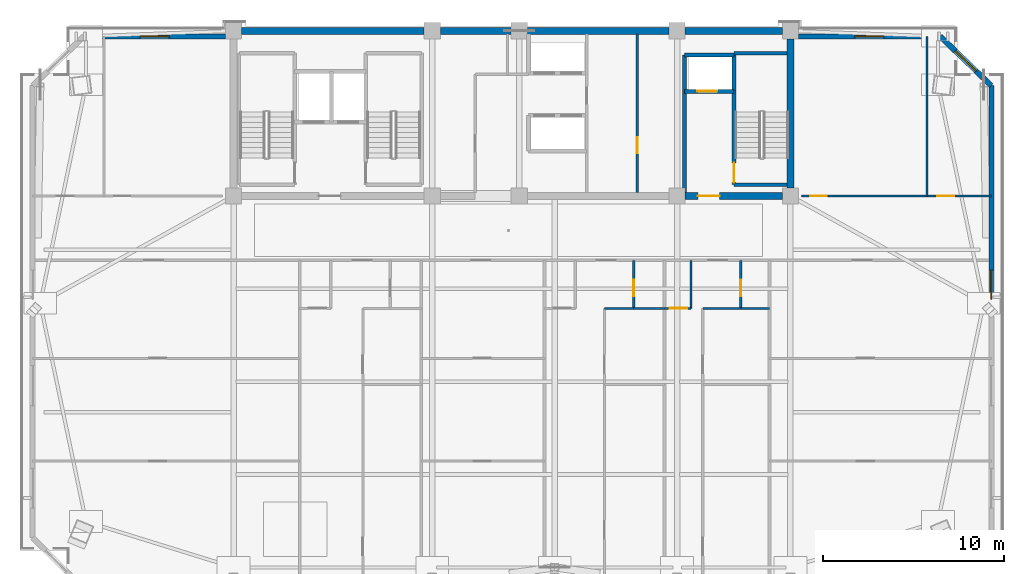
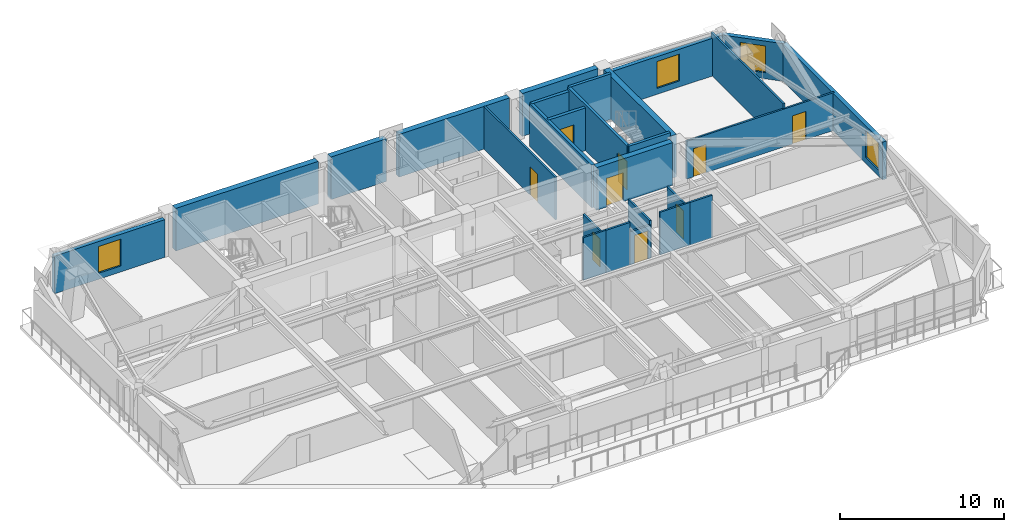
# One storey, part 11 of 18: 27 walls, 9 doors, 4 windows, 13 openings.
"""IFC4 building model written with IfcOpenShell, lengths in metres."""

from ifc_helpers import new_model, si_unit, direction, frame, frame_2d, origin, place, context, subcontext, project, spatial, rectangle, extrude, source, transform, mapped, material, layer, layer_set, type_object, element, fill, save


model = new_model("IFC4")

# Units and contexts
model_context = context("Model", 3, precision=1e-05, world=origin(), true_north=direction((0.0, 1.0)))
body_context = subcontext(model_context, "Body", "Model", "MODEL_VIEW")
ifc_project = project(units=[si_unit("LENGTHUNIT", "METRE"), si_unit("AREAUNIT", "SQUARE_METRE"), si_unit("VOLUMEUNIT", "CUBIC_METRE"), si_unit("PLANEANGLEUNIT", "RADIAN"), si_unit("MASSUNIT", "GRAM", prefix="KILO")], contexts=[model_context])

# Site, building, storey
site_placement = place(None, origin())
site = spatial("IfcSite", under=ifc_project, at=site_placement, CompositionType="ELEMENT")
building_placement = place(site_placement, origin())
building = spatial("IfcBuilding", under=site, at=building_placement, Name="Giltprow Tower", CompositionType="ELEMENT")
storey_placement = place(building_placement, frame((0.0, 0.0, 265.5)))
storey = spatial("IfcBuildingStorey", under=building, at=storey_placement, Name="L68", CompositionType="ELEMENT", Elevation=265.5)

# Wall, opening, window
ifc_material_1 = material(Name="Precast concrete C40", Category="concrete")
ifc_layer_1 = layer(ifc_material_1, 0.300048828125, Name="Precast concrete C40")
ifc_layer_set_1 = layer_set([ifc_layer_1], Name="Precast concrete C40")
wall_type_1 = type_object("IfcWallType", Name="EW-NOTCH-CHAMFER-300", PredefinedType="SOLIDWALL", material=ifc_layer_set_1)
wall_1_placement = place(storey_placement, frame((61.6220703125, 43.530029296875, 0.0), z_axis=(0.0, 0.0, 1.0), x_axis=(-0.719645186047, 0.694341995129, 0.0)))
wall_1 = element("IfcWall", 1, at=wall_1_placement, inside=storey, type_object=wall_type_1, Name="L68 Corner Notch Wall NE", PredefinedType="SOLIDWALL", context=body_context, shape_type="SweptSolid", body=[
    extrude(rectangle(XDim=3.917236328125, YDim=0.300048828125, at=frame_2d((1.95849609375, 0.0))), origin(), (0.0, 0.0, 1.0), 2.81494140625),
])
opening_1_placement = place(wall_1_placement, frame((1.158935546875, 0.0, 0.449951171875)))
opening_1 = element("IfcOpeningElement", 2, at=opening_1_placement, cuts=wall_1, Name="Opening WN17", PredefinedType="OPENING", context=body_context, shape_type="SweptSolid", body=[
    extrude(rectangle(XDim=1.60009765625, YDim=2.0, at=frame_2d((0.800048828125, 1.0))), frame((0.0, 0.159912109375, 0.0), z_axis=(0.0, -1.0, 0.0), x_axis=(1.0, 0.0, 0.0)), (0.0, 0.0, 1.0), 0.320068359375),
])
ifc_material_2 = material(Name="Insulated glass", Category="glass")
window_type = type_object("IfcWindowType", Name="WN-COR-1600x2000", PartitioningType="SINGLE_PANEL", PredefinedType="WINDOW", material=ifc_material_2)
shared_shape_1 = source(origin(), body_context, "Body", "SweptSolid", [
    extrude(rectangle(XDim=1.60009765625, YDim=2.0, at=frame_2d((0.800048828125, 1.0))), frame((0.0, 0.030029296875, 0.0), z_axis=(0.0, -1.0, 0.0), x_axis=(1.0, 0.0, 0.0)), (0.0, 0.0, 1.0), 0.06005859375),
])
window_1_placement = place(opening_1_placement, origin())
window_1 = element("IfcWindow", 3, at=window_1_placement, inside=storey, type_object=window_type, Name="L68 Corner Notch Window NE", OverallHeight=2.0, OverallWidth=1.60009765625, PartitioningType="SINGLE_PANEL", PredefinedType="WINDOW", context=body_context, shape_type="MappedRepresentation", body=[
    mapped(shared_shape_1, transform((0.0, 0.0, 0.0), x_axis=(1.0, 0.0, 0.0), y_axis=(0.0, 1.0, 0.0), z_axis=(0.0, 0.0, 1.0), scale=1.0)),
])
fill(opening_1, window_1)

ifc_layer_2 = layer(ifc_material_1, 0.280029296875, Name="Precast concrete C40")
ifc_layer_set_2 = layer_set([ifc_layer_2], Name="Precast concrete C40")
wall_type_2 = type_object("IfcWallType", Name="EW-TOW-BRONZE-280", PredefinedType="SOLIDWALL", material=ifc_layer_set_2)
wall_2_placement = place(storey_placement, frame((61.6220703125, 31.322021484375, 0.0), z_axis=(0.0, 0.0, 1.0), x_axis=(0.0, 1.0, 0.0)))
wall_2 = element("IfcWall", 4, at=wall_2_placement, inside=storey, type_object=wall_type_2, Name="L68 E Wing Masonry Wall 2", PredefinedType="SOLIDWALL", context=body_context, shape_type="SweptSolid", body=[
    extrude(rectangle(XDim=12.2080078125, YDim=0.280029296875, at=frame_2d((6.10400390625, 0.0))), origin(), (0.0, 0.0, 1.0), 2.81494140625),
])
opening_2_placement = place(wall_2_placement, frame((0.446044921875, 0.0, 0.449951171875)))
opening_2 = element("IfcOpeningElement", 5, at=opening_2_placement, cuts=wall_2, Name="Opening WN17", PredefinedType="OPENING", context=body_context, shape_type="SweptSolid", body=[
    extrude(rectangle(XDim=1.60009765625, YDim=2.0, at=frame_2d((0.800048828125, 1.0))), frame((0.0, 0.14990234375, 0.0), z_axis=(0.0, -1.0, 0.0), x_axis=(1.0, 0.0, 0.0)), (0.0, 0.0, 1.0), 0.300048828125),
])
window_2_placement = place(opening_2_placement, origin())
window_2 = element("IfcWindow", 6, at=window_2_placement, inside=storey, type_object=window_type, Name="L68 E Wing Window 2-1", OverallHeight=2.0, OverallWidth=1.60009765625, PartitioningType="SINGLE_PANEL", PredefinedType="WINDOW", context=body_context, shape_type="MappedRepresentation", body=[
    mapped(shared_shape_1, transform((0.0, 0.0, 0.0), x_axis=(1.0, 0.0, 0.0), y_axis=(0.0, 1.0, 0.0), z_axis=(0.0, 0.0, 1.0), scale=1.0)),
])
fill(opening_2, window_2)

wall_3_placement = place(storey_placement, frame((11.597900390625, 46.25, 0.0), z_axis=(0.0, 0.0, 1.0), x_axis=(1.0, 0.0, 0.0)))
wall_3 = element("IfcWall", 7, at=wall_3_placement, inside=storey, type_object=wall_type_2, Name="L68 North-West Wing Wall", PredefinedType="SOLIDWALL", context=body_context, shape_type="SweptSolid", body=[
    extrude(rectangle(XDim=7.802001953125, YDim=0.280029296875, at=frame_2d((3.90087890625, 0.0))), origin(), (0.0, 0.0, 1.0), 2.81494140625),
])
opening_3_placement = place(wall_3_placement, frame((3.10107421875, 0.0, 0.449951171875)))
opening_3 = element("IfcOpeningElement", 8, at=opening_3_placement, cuts=wall_3, Name="Opening WN17", PredefinedType="OPENING", context=body_context, shape_type="SweptSolid", body=[
    extrude(rectangle(XDim=1.60009765625, YDim=2.0, at=frame_2d((0.800048828125, 1.0))), frame((0.0, 0.14990234375, 0.0), z_axis=(0.0, -1.0, 0.0), x_axis=(1.0, 0.0, 0.0)), (0.0, 0.0, 1.0), 0.300048828125),
])
window_3_placement = place(opening_3_placement, origin())
window_3 = element("IfcWindow", 9, at=window_3_placement, inside=storey, type_object=window_type, Name="L68 North-West Window", OverallHeight=2.0, OverallWidth=1.60009765625, PartitioningType="SINGLE_PANEL", PredefinedType="WINDOW", context=body_context, shape_type="MappedRepresentation", body=[
    mapped(shared_shape_1, transform((0.0, 0.0, 0.0), x_axis=(1.0, 0.0, 0.0), y_axis=(0.0, 1.0, 0.0), z_axis=(0.0, 0.0, 1.0), scale=1.0)),
])
fill(opening_3, window_3)

wall_4_placement = place(storey_placement, frame((51.0, 46.25, 0.0), z_axis=(0.0, 0.0, 1.0), x_axis=(1.0, 0.0, 0.0)))
wall_4 = element("IfcWall", 10, at=wall_4_placement, inside=storey, type_object=wall_type_2, Name="L68 North-East Wing Wall", PredefinedType="SOLIDWALL", context=body_context, shape_type="SweptSolid", body=[
    extrude(rectangle(XDim=7.802978515625, YDim=0.280029296875, at=frame_2d((3.9013671875, 0.0))), origin(), (0.0, 0.0, 1.0), 2.81494140625),
])
opening_4_placement = place(wall_4_placement, frame((3.10107421875, 0.0, 0.449951171875)))
opening_4 = element("IfcOpeningElement", 11, at=opening_4_placement, cuts=wall_4, Name="Opening WN17", PredefinedType="OPENING", context=body_context, shape_type="SweptSolid", body=[
    extrude(rectangle(XDim=1.60009765625, YDim=2.0, at=frame_2d((0.800048828125, 1.0))), frame((0.0, 0.14990234375, 0.0), z_axis=(0.0, -1.0, 0.0), x_axis=(1.0, 0.0, 0.0)), (0.0, 0.0, 1.0), 0.300048828125),
])
window_4_placement = place(opening_4_placement, origin())
window_4 = element("IfcWindow", 12, at=window_4_placement, inside=storey, type_object=window_type, Name="L68 North-East Window", OverallHeight=2.0, OverallWidth=1.60009765625, PartitioningType="SINGLE_PANEL", PredefinedType="WINDOW", context=body_context, shape_type="MappedRepresentation", body=[
    mapped(shared_shape_1, transform((0.0, 0.0, 0.0), x_axis=(1.0, 0.0, 0.0), y_axis=(0.0, 1.0, 0.0), z_axis=(0.0, 0.0, 1.0), scale=1.0)),
])
fill(opening_4, window_4)

# Walls
ifc_material_3 = material(Name="Gypsum stud partition", Category="gypsum")
ifc_layer_3 = layer(ifc_material_3, 0.1201171875, Name="Gypsum stud partition")
ifc_layer_set_3 = layer_set([ifc_layer_3], Name="Gypsum stud partition")
wall_type_3 = type_object("IfcWallType", Name="IW-ROOM-120", PredefinedType="PARTITIONING", material=ifc_layer_set_3)
wall_5_placement = place(storey_placement, frame((40.300048828125, 31.25, 0.0), z_axis=(0.0, 0.0, 1.0), x_axis=(1.0, 0.0, 0.0)))
element("IfcWall", 13, at=wall_5_placement, inside=storey, type_object=wall_type_3, Name="L68 Unit 2 Bedroom North Wall", PredefinedType="PARTITIONING", context=body_context, shape_type="SweptSolid", body=[
    extrude(rectangle(XDim=1.60986328125, YDim=0.1201171875, at=frame_2d((0.804931640625, 0.0))), origin(), (0.0, 0.0, 1.0), 3.18505859375),
])
wall_6_placement = place(storey_placement, frame((45.719970703125, 31.25, 0.0), z_axis=(0.0, 0.0, 1.0), x_axis=(1.0, 0.0, 0.0)))
element("IfcWall", 14, at=wall_6_placement, inside=storey, type_object=wall_type_3, Name="L68 Unit 3 Bedroom North Wall", PredefinedType="PARTITIONING", context=body_context, shape_type="SweptSolid", body=[
    extrude(rectangle(XDim=2.10009765625, YDim=0.1201171875, at=frame_2d((1.050048828125, 0.0))), origin(), (0.0, 0.0, 1.0), 3.18505859375),
])

# Wall, opening, door
ifc_material_4 = material(Name="Concrete C40", Category="concrete")
ifc_layer_4 = layer(ifc_material_4, 0.219970703125, Name="Concrete C40")
ifc_layer_set_4 = layer_set([ifc_layer_4], Name="Concrete C40")
wall_type_4 = type_object("IfcWallType", Name="IW-SHAFT-220", PredefinedType="SOLIDWALL", material=ifc_layer_set_4)
wall_7_placement = place(storey_placement, frame((44.719970703125, 43.219970703125, 0.0), z_axis=(0.0, 0.0, 1.0), x_axis=(1.0, 0.0, 0.0)))
wall_7 = element("IfcWall", 15, at=wall_7_placement, inside=storey, type_object=wall_type_4, Name="L68 FFL2 Front Shaft Wall", PredefinedType="SOLIDWALL", context=body_context, shape_type="SweptSolid", body=[
    extrude(rectangle(XDim=2.719970703125, YDim=0.219970703125, at=frame_2d((1.35986328125, 0.0))), origin(), (0.0, 0.0, 1.0), 3.18505859375),
])
opening_5_placement = place(wall_7_placement, frame((0.699951171875, 0.0, 0.0)))
opening_5 = element("IfcOpeningElement", 16, at=opening_5_placement, cuts=wall_7, Name="Opening LD-11", PredefinedType="OPENING", context=body_context, shape_type="SweptSolid", body=[
    extrude(rectangle(XDim=1.10009765625, YDim=2.199951171875, at=frame_2d((0.550048828125, 1.10009765625))), frame((0.0, 0.119873046875, 0.0), z_axis=(0.0, -1.0, 0.0), x_axis=(1.0, 0.0, 0.0)), (0.0, 0.0, 1.0), 0.239990234375),
])
ifc_material_5 = material(Name="Stainless steel", Category="steel")
door_type_1 = type_object("IfcDoorType", Name="DR-LIFT-LD1100", OperationType="SLIDING_TO_LEFT", PredefinedType="DOOR", material=ifc_material_5)
shared_shape_2 = source(origin(), body_context, "Body", "SweptSolid", [
    extrude(rectangle(XDim=1.10009765625, YDim=2.199951171875, at=frame_2d((0.550048828125, 1.10009765625))), frame((0.0, 0.02490234375, 0.0), z_axis=(0.0, -1.0, 0.0), x_axis=(1.0, 0.0, 0.0)), (0.0, 0.0, 1.0), 0.050048828125),
])
door_1_placement = place(opening_5_placement, origin())
door_1 = element("IfcDoor", 17, at=door_1_placement, inside=storey, type_object=door_type_1, Name="L68 FFL2 Landing Door", OperationType="SLIDING_TO_LEFT", OverallHeight=2.199951171875, OverallWidth=1.10009765625, PredefinedType="DOOR", context=body_context, shape_type="MappedRepresentation", body=[
    mapped(shared_shape_2, transform((0.0, 0.0, 0.0), x_axis=(1.0, 0.0, 0.0), y_axis=(0.0, 1.0, 0.0), z_axis=(0.0, 0.0, 1.0), scale=1.0)),
])
fill(opening_5, door_1)

# Walls
wall_8_placement = place(storey_placement, frame((44.719970703125, 45.219970703125, 0.0), z_axis=(0.0, 0.0, 1.0), x_axis=(1.0, 0.0, 0.0)))
element("IfcWall", 18, at=wall_8_placement, inside=storey, type_object=wall_type_4, Name="L68 FFL2 Back Shaft Wall", PredefinedType="SOLIDWALL", context=body_context, shape_type="SweptSolid", body=[
    extrude(rectangle(XDim=2.719970703125, YDim=0.219970703125, at=frame_2d((1.35986328125, 0.0))), origin(), (0.0, 0.0, 1.0), 3.18505859375),
])
wall_9_placement = place(storey_placement, frame((44.719970703125, 37.6298828125, 0.0), z_axis=(0.0, 0.0, 1.0), x_axis=(0.0, 1.0, 0.0)))
element("IfcWall", 19, at=wall_9_placement, inside=storey, type_object=wall_type_4, Name="L68 East Firefighting Lobby West Wall", PredefinedType="SOLIDWALL", context=body_context, shape_type="SweptSolid", body=[
    extrude(rectangle(XDim=7.590087890625, YDim=0.219970703125, at=frame_2d((3.794921875, 0.0))), origin(), (0.0, 0.0, 1.0), 3.18505859375),
])

# Wall, opening, door
ifc_layer_5 = layer(ifc_material_4, 0.199951171875, Name="Concrete C40")
ifc_layer_set_5 = layer_set([ifc_layer_5], Name="Concrete C40")
wall_type_5 = type_object("IfcWallType", Name="IW-STAIR-200", PredefinedType="SOLIDWALL", material=ifc_layer_set_5)
wall_10_placement = place(storey_placement, frame((47.43994140625, 38.070068359375, 0.0), z_axis=(0.0, 0.0, 1.0), x_axis=(0.0, 1.0, 0.0)))
wall_10 = element("IfcWall", 20, at=wall_10_placement, inside=storey, type_object=wall_type_5, Name="L68 Stair ST-3 West Bearing Wall", PredefinedType="SOLIDWALL", context=body_context, shape_type="SweptSolid", body=[
    extrude(rectangle(XDim=7.25, YDim=0.199951171875, at=frame_2d((3.625, 0.0))), origin(), (0.0, 0.0, 1.0), 3.39990234375),
])
opening_6_placement = place(wall_10_placement, frame((0.110107421875, 0.0, 0.0)))
opening_6 = element("IfcOpeningElement", 21, at=opening_6_placement, cuts=wall_10, Name="Opening ID33", PredefinedType="OPENING", context=body_context, shape_type="SweptSolid", body=[
    extrude(rectangle(XDim=1.10009765625, YDim=2.14990234375, at=frame_2d((0.550048828125, 1.074951171875))), frame((0.0, 0.10986328125, 0.0), z_axis=(0.0, -1.0, 0.0), x_axis=(1.0, 0.0, 0.0)), (0.0, 0.0, 1.0), 0.219970703125),
])
ifc_material_6 = material(Name="Steel fire leaf", Category="steel")
door_type_2 = type_object("IfcDoorType", Name="DR-STAIR-1100", OperationType="SINGLE_SWING_LEFT", PredefinedType="DOOR", material=ifc_material_6)
shared_shape_3 = source(origin(), body_context, "Body", "SweptSolid", [
    extrude(rectangle(XDim=1.10009765625, YDim=2.14990234375, at=frame_2d((0.550048828125, 1.074951171875))), frame((0.0, 0.02490234375, 0.0), z_axis=(0.0, -1.0, 0.0), x_axis=(1.0, 0.0, 0.0)), (0.0, 0.0, 1.0), 0.050048828125),
])
door_2_placement = place(opening_6_placement, origin())
door_2 = element("IfcDoor", 22, at=door_2_placement, inside=storey, type_object=door_type_2, Name="L68 Stair ST-3 Fire Door", OperationType="SINGLE_SWING_RIGHT", OverallHeight=2.14990234375, OverallWidth=1.10009765625, PredefinedType="DOOR", context=body_context, shape_type="MappedRepresentation", body=[
    mapped(shared_shape_3, transform((0.0, 0.0, 0.0), x_axis=(1.0, 0.0, 0.0), y_axis=(0.0, 1.0, 0.0), z_axis=(0.0, 0.0, 1.0), scale=1.0)),
])
fill(opening_6, door_2)

# Walls
for number, where, z_axis, x_axis, name in (
    (23, (47.43994140625, 45.320068359375, 0.0), (0.0, 0.0, 1.0), (1.0, 0.0, 0.0), "L68 Stair ST-3 North Bearing Wall"),
    (24, (47.43994140625, 38.070068359375, 0.0), (0.0, 0.0, 1.0), (1.0, 0.0, 0.0), "L68 Stair ST-3 South Bearing Wall"),
):
    element("IfcWall", number, at=place(storey_placement, frame(where, z_axis=z_axis, x_axis=x_axis)), inside=storey, type_object=wall_type_5, Name=name, PredefinedType="SOLIDWALL", context=body_context, shape_type="SweptSolid", body=[
        extrude(rectangle(XDim=2.93017578125, YDim=0.199951171875, at=frame_2d((1.465087890625, 0.0))), origin(), (0.0, 0.0, 1.0), 3.39990234375),
    ])

# Wall, opening, door
ifc_material_7 = material(Name="Concrete C30", Category="concrete")
ifc_layer_6 = layer(ifc_material_7, 0.1298828125, Name="Concrete C30")
ifc_layer_set_6 = layer_set([ifc_layer_6], Name="Concrete C30")
wall_type_6 = type_object("IfcWallType", Name="IW-WET-130", PredefinedType="PARTITIONING", material=ifc_layer_set_6)
wall_11_placement = place(storey_placement, frame((42.10009765625, 37.6298828125, 0.0), z_axis=(0.0, 0.0, 1.0), x_axis=(0.0, 1.0, 0.0)))
wall_11 = element("IfcWall", 25, at=wall_11_placement, inside=storey, type_object=wall_type_6, Name="L68 East Core Vertical Divider", PredefinedType="PARTITIONING", context=body_context, shape_type="SweptSolid", body=[
    extrude(rectangle(XDim=8.740234375, YDim=0.1298828125, at=frame_2d((4.3701171875, 0.0))), origin(), (0.0, 0.0, 1.0), 3.18505859375),
])
opening_7_placement = place(wall_11_placement, frame((2.169921875, 0.0, 0.0)))
opening_7 = element("IfcOpeningElement", 26, at=opening_7_placement, cuts=wall_11, Name="Opening ID35", PredefinedType="OPENING", context=body_context, shape_type="SweptSolid", body=[
    extrude(rectangle(XDim=0.89990234375, YDim=2.10009765625, at=frame_2d((0.449951171875, 1.050048828125))), frame((0.0, 0.074951171875, 0.0), z_axis=(0.0, -1.0, 0.0), x_axis=(1.0, 0.0, 0.0)), (0.0, 0.0, 1.0), 0.14990234375),
])
door_type_3 = type_object("IfcDoorType", Name="DR-SHAFT-900", OperationType="SINGLE_SWING_LEFT", PredefinedType="DOOR", material=ifc_material_6)
shared_shape_4 = source(origin(), body_context, "Body", "SweptSolid", [
    extrude(rectangle(XDim=0.89990234375, YDim=2.10009765625, at=frame_2d((0.449951171875, 1.050048828125))), frame((0.0, 0.02490234375, 0.0), z_axis=(0.0, -1.0, 0.0), x_axis=(1.0, 0.0, 0.0)), (0.0, 0.0, 1.0), 0.050048828125),
])
door_3_placement = place(opening_7_placement, origin())
door_3 = element("IfcDoor", 27, at=door_3_placement, inside=storey, type_object=door_type_3, Name="L68 Core Trunk Room Inner Door", OperationType="SINGLE_SWING_LEFT", OverallHeight=2.10009765625, OverallWidth=0.89990234375, PredefinedType="DOOR", context=body_context, shape_type="MappedRepresentation", body=[
    mapped(shared_shape_4, transform((0.0, 0.0, 0.0), x_axis=(1.0, 0.0, 0.0), y_axis=(0.0, 1.0, 0.0), z_axis=(0.0, 0.0, 1.0), scale=1.0)),
])
fill(opening_7, door_3)

# Wall
wall_12_placement = place(storey_placement, frame((41.909912109375, 31.25, 0.0), z_axis=(0.0, 0.0, 1.0), x_axis=(1.0, 0.0, 0.0)))
element("IfcWall", 28, at=wall_12_placement, inside=storey, type_object=wall_type_6, Name="L68 Unit 2 Bathroom South Wall", PredefinedType="PARTITIONING", context=body_context, shape_type="SweptSolid", body=[
    extrude(rectangle(XDim=1.690185546875, YDim=0.1298828125, at=frame_2d((0.84521484375, 0.0))), origin(), (0.0, 0.0, 1.0), 3.18505859375),
])

# Wall, opening, door
wall_13_placement = place(storey_placement, frame((41.909912109375, 31.25, 0.0), z_axis=(0.0, 0.0, 1.0), x_axis=(0.0, 1.0, 0.0)))
wall_13 = element("IfcWall", 29, at=wall_13_placement, inside=storey, type_object=wall_type_6, Name="L68 Unit 2 Bathroom West Wall", PredefinedType="PARTITIONING", context=body_context, shape_type="SweptSolid", body=[
    extrude(rectangle(XDim=2.64990234375, YDim=0.1298828125, at=frame_2d((1.324951171875, 0.0))), origin(), (0.0, 0.0, 1.0), 2.77001953125),
])
opening_8_placement = place(wall_13_placement, frame((0.669921875, 0.0, 0.0)))
opening_8 = element("IfcOpeningElement", 30, at=opening_8_placement, cuts=wall_13, Name="Opening ID15", PredefinedType="OPENING", context=body_context, shape_type="SweptSolid", body=[
    extrude(rectangle(XDim=0.89990234375, YDim=2.10009765625, at=frame_2d((0.449951171875, 1.050048828125))), frame((0.0, 0.074951171875, 0.0), z_axis=(0.0, -1.0, 0.0), x_axis=(1.0, 0.0, 0.0)), (0.0, 0.0, 1.0), 0.14990234375),
])
ifc_material_8 = material(Name="Engineered timber", Category="wood")
door_type_4 = type_object("IfcDoorType", Name="DR-WC-900", OperationType="SINGLE_SWING_LEFT", PredefinedType="DOOR", material=ifc_material_8)
door_4_placement = place(opening_8_placement, origin())
door_4 = element("IfcDoor", 31, at=door_4_placement, inside=storey, type_object=door_type_4, Name="L68 Unit 2 Bathroom Door", OperationType="SINGLE_SWING_LEFT", OverallHeight=2.10009765625, OverallWidth=0.89990234375, PredefinedType="DOOR", context=body_context, shape_type="MappedRepresentation", body=[
    mapped(shared_shape_4, transform((0.0, 0.0, 0.0), x_axis=(1.0, 0.0, 0.0), y_axis=(0.0, 1.0, 0.0), z_axis=(0.0, 0.0, 1.0), scale=1.0)),
])
fill(opening_8, door_4)

wall_14_placement = place(storey_placement, frame((43.60009765625, 31.25, 0.0), z_axis=(0.0, 0.0, 1.0), x_axis=(1.0, 0.0, 0.0)))
wall_14 = element("IfcWall", 32, at=wall_14_placement, inside=storey, type_object=wall_type_6, Name="L68 Unit 3 Kitchen South Wall", PredefinedType="PARTITIONING", context=body_context, shape_type="SweptSolid", body=[
    extrude(rectangle(XDim=1.469970703125, YDim=0.1298828125, at=frame_2d((0.73486328125, 0.0))), origin(), (0.0, 0.0, 1.0), 2.469970703125),
])
opening_9_placement = place(wall_14_placement, frame((0.300048828125, 0.0, 0.0)))
opening_9 = element("IfcOpeningElement", 33, at=opening_9_placement, cuts=wall_14, Name="Opening ID11", PredefinedType="OPENING", context=body_context, shape_type="SweptSolid", body=[
    extrude(rectangle(XDim=0.949951171875, YDim=2.10009765625, at=frame_2d((0.47509765625, 1.050048828125))), frame((0.0, 0.074951171875, 0.0), z_axis=(0.0, -1.0, 0.0), x_axis=(1.0, 0.0, 0.0)), (0.0, 0.0, 1.0), 0.14990234375),
])
door_type_5 = type_object("IfcDoorType", Name="DR-ROOM-950", OperationType="SINGLE_SWING_RIGHT", PredefinedType="DOOR", material=ifc_material_8)
shared_shape_5 = source(origin(), body_context, "Body", "SweptSolid", [
    extrude(rectangle(XDim=0.949951171875, YDim=2.10009765625, at=frame_2d((0.47509765625, 1.050048828125))), frame((0.0, 0.02490234375, 0.0), z_axis=(0.0, -1.0, 0.0), x_axis=(1.0, 0.0, 0.0)), (0.0, 0.0, 1.0), 0.050048828125),
])
door_5_placement = place(opening_9_placement, origin())
door_5 = element("IfcDoor", 34, at=door_5_placement, inside=storey, type_object=door_type_5, Name="L68 Unit 3 Kitchen Door", OperationType="SINGLE_SWING_LEFT", OverallHeight=2.10009765625, OverallWidth=0.949951171875, PredefinedType="DOOR", context=body_context, shape_type="MappedRepresentation", body=[
    mapped(shared_shape_5, transform((0.0, 0.0, 0.0), x_axis=(1.0, 0.0, 0.0), y_axis=(0.0, 1.0, 0.0), z_axis=(0.0, 0.0, 1.0), scale=1.0)),
])
fill(opening_9, door_5)

# Walls
wall_15_placement = place(storey_placement, frame((45.070068359375, 31.25, 0.0), z_axis=(0.0, 0.0, 1.0), x_axis=(0.0, 1.0, 0.0)))
element("IfcWall", 35, at=wall_15_placement, inside=storey, type_object=wall_type_6, Name="L68 Unit 3 Kitchen East Wall", PredefinedType="PARTITIONING", context=body_context, shape_type="SweptSolid", body=[
    extrude(rectangle(XDim=2.64990234375, YDim=0.1298828125, at=frame_2d((1.324951171875, 0.0))), origin(), (0.0, 0.0, 1.0), 2.77001953125),
])
wall_16_placement = place(storey_placement, frame((47.820068359375, 31.25, 0.0), z_axis=(0.0, 0.0, 1.0), x_axis=(1.0, 0.0, 0.0)))
element("IfcWall", 36, at=wall_16_placement, inside=storey, type_object=wall_type_6, Name="L68 Unit 3 Bathroom South Wall", PredefinedType="PARTITIONING", context=body_context, shape_type="SweptSolid", body=[
    extrude(rectangle(XDim=1.579833984375, YDim=0.1298828125, at=frame_2d((0.7900390625, 0.0))), origin(), (0.0, 0.0, 1.0), 3.18505859375),
])

# Wall, opening, door
wall_17_placement = place(storey_placement, frame((47.820068359375, 31.25, 0.0), z_axis=(0.0, 0.0, 1.0), x_axis=(0.0, 1.0, 0.0)))
wall_17 = element("IfcWall", 37, at=wall_17_placement, inside=storey, type_object=wall_type_6, Name="L68 Unit 3 Bathroom West Wall", PredefinedType="PARTITIONING", context=body_context, shape_type="SweptSolid", body=[
    extrude(rectangle(XDim=2.64990234375, YDim=0.1298828125, at=frame_2d((1.324951171875, 0.0))), origin(), (0.0, 0.0, 1.0), 2.77001953125),
])
opening_10_placement = place(wall_17_placement, frame((0.669921875, 0.0, 0.0)))
opening_10 = element("IfcOpeningElement", 38, at=opening_10_placement, cuts=wall_17, Name="Opening ID15", PredefinedType="OPENING", context=body_context, shape_type="SweptSolid", body=[
    extrude(rectangle(XDim=0.89990234375, YDim=2.10009765625, at=frame_2d((0.449951171875, 1.050048828125))), frame((0.0, 0.074951171875, 0.0), z_axis=(0.0, -1.0, 0.0), x_axis=(1.0, 0.0, 0.0)), (0.0, 0.0, 1.0), 0.14990234375),
])
door_6_placement = place(opening_10_placement, origin())
door_6 = element("IfcDoor", 39, at=door_6_placement, inside=storey, type_object=door_type_4, Name="L68 Unit 3 Bathroom Door", OperationType="SINGLE_SWING_RIGHT", OverallHeight=2.10009765625, OverallWidth=0.89990234375, PredefinedType="DOOR", context=body_context, shape_type="MappedRepresentation", body=[
    mapped(shared_shape_4, transform((0.0, 0.0, 0.0), x_axis=(1.0, 0.0, 0.0), y_axis=(0.0, 1.0, 0.0), z_axis=(0.0, 0.0, 1.0), scale=1.0)),
])
fill(opening_10, door_6)

# Wall, openings, doors
wall_18_placement = place(storey_placement, frame((51.14990234375, 37.449951171875, 0.0), z_axis=(0.0, 0.0, 1.0), x_axis=(1.0, 0.0, 0.0)))
wall_18 = element("IfcWall", 40, at=wall_18_placement, inside=storey, type_object=wall_type_6, Name="L68 NE Wing South Wall", PredefinedType="PARTITIONING", context=body_context, shape_type="SweptSolid", body=[
    extrude(rectangle(XDim=10.47216796875, YDim=0.1298828125, at=frame_2d((5.236083984375, 0.0))), origin(), (0.0, 0.0, 1.0), 2.820068359375),
])
opening_11_placement = place(wall_18_placement, frame((0.5, 0.0, 0.0)))
opening_11 = element("IfcOpeningElement", 41, at=opening_11_placement, cuts=wall_18, Name="Opening ID15", PredefinedType="OPENING", context=body_context, shape_type="SweptSolid", body=[
    extrude(rectangle(XDim=0.89990234375, YDim=2.10009765625, at=frame_2d((0.449951171875, 1.050048828125))), frame((0.0, 0.074951171875, 0.0), z_axis=(0.0, -1.0, 0.0), x_axis=(1.0, 0.0, 0.0)), (0.0, 0.0, 1.0), 0.14990234375),
])
opening_12_placement = place(wall_18_placement, frame((7.47998046875, 0.0, 0.0)))
opening_12 = element("IfcOpeningElement", 42, at=opening_12_placement, cuts=wall_18, Name="Opening ID11", PredefinedType="OPENING", context=body_context, shape_type="SweptSolid", body=[
    extrude(rectangle(XDim=0.949951171875, YDim=2.10009765625, at=frame_2d((0.47509765625, 1.050048828125))), frame((0.0, 0.074951171875, 0.0), z_axis=(0.0, -1.0, 0.0), x_axis=(1.0, 0.0, 0.0)), (0.0, 0.0, 1.0), 0.14990234375),
])
door_7_placement = place(opening_11_placement, origin())
door_7 = element("IfcDoor", 43, at=door_7_placement, inside=storey, type_object=door_type_4, Name="L68 East Wing Washroom Door", OperationType="SINGLE_SWING_RIGHT", OverallHeight=2.10009765625, OverallWidth=0.89990234375, PredefinedType="DOOR", context=body_context, shape_type="MappedRepresentation", body=[
    mapped(shared_shape_4, transform((0.0, 0.0, 0.0), x_axis=(1.0, 0.0, 0.0), y_axis=(0.0, 1.0, 0.0), z_axis=(0.0, 0.0, 1.0), scale=1.0)),
])
fill(opening_11, door_7)
door_8_placement = place(opening_12_placement, origin())
door_8 = element("IfcDoor", 44, at=door_8_placement, inside=storey, type_object=door_type_5, Name="L68 Residents Reading Lounge Door", OperationType="SINGLE_SWING_LEFT", OverallHeight=2.10009765625, OverallWidth=0.949951171875, PredefinedType="DOOR", context=body_context, shape_type="MappedRepresentation", body=[
    mapped(shared_shape_5, transform((0.0, 0.0, 0.0), x_axis=(1.0, 0.0, 0.0), y_axis=(0.0, 1.0, 0.0), z_axis=(0.0, 0.0, 1.0), scale=1.0)),
])
fill(opening_12, door_8)

# Walls
wall_19_placement = place(storey_placement, frame((58.080078125, 37.449951171875, 0.0), z_axis=(0.0, 0.0, 1.0), x_axis=(0.0, 1.0, 0.0)))
element("IfcWall", 45, at=wall_19_placement, inside=storey, type_object=wall_type_6, Name="L68 NE Wing Divider", PredefinedType="PARTITIONING", context=body_context, shape_type="SweptSolid", body=[
    extrude(rectangle(XDim=8.800048828125, YDim=0.1298828125, at=frame_2d((4.39990234375, 0.0))), origin(), (0.0, 0.0, 1.0), 3.18505859375),
])
ifc_material_9 = material(Name="Concrete C45", Category="concrete")
ifc_layer_7 = layer(ifc_material_9, 0.39990234375, Name="Concrete C45")
ifc_layer_set_7 = layer_set([ifc_layer_7], Name="Concrete C45")
wall_type_7 = type_object("IfcWallType", Name="SW-EXT-400-C45", PredefinedType="SHEAR", material=ifc_layer_set_7)
wall_20_placement = place(storey_placement, frame((20.300048828125, 46.550048828125, 0.0), z_axis=(0.0, 0.0, 1.0), x_axis=(1.0, 0.0, 0.0)))
element("IfcWall", 46, at=wall_20_placement, inside=storey, type_object=wall_type_7, Name="L68 North Rear Core Shear Wall 1", PredefinedType="SHEAR", context=body_context, shape_type="SweptSolid", body=[
    extrude(rectangle(XDim=10.050048828125, YDim=0.39990234375, at=frame_2d((5.02490234375, 0.0))), origin(), (0.0, 0.0, 1.0), 3.18505859375),
])
wall_21_placement = place(storey_placement, frame((31.25, 46.550048828125, 0.0), z_axis=(0.0, 0.0, 1.0), x_axis=(1.0, 0.0, 0.0)))
element("IfcWall", 47, at=wall_21_placement, inside=storey, type_object=wall_type_7, Name="L68 North Rear Core Shear Wall 2", PredefinedType="SHEAR", context=body_context, shape_type="SweptSolid", body=[
    extrude(rectangle(XDim=3.89990234375, YDim=0.39990234375, at=frame_2d((1.949951171875, 0.0))), origin(), (0.0, 0.0, 1.0), 3.18505859375),
])
wall_22_placement = place(storey_placement, frame((36.050048828125, 46.550048828125, 0.0), z_axis=(0.0, 0.0, 1.0), x_axis=(1.0, 0.0, 0.0)))
element("IfcWall", 48, at=wall_22_placement, inside=storey, type_object=wall_type_7, Name="L68 North Rear Core Shear Wall 3", PredefinedType="SHEAR", context=body_context, shape_type="SweptSolid", body=[
    extrude(rectangle(XDim=7.800048828125, YDim=0.39990234375, at=frame_2d((3.89990234375, 0.0))), origin(), (0.0, 0.0, 1.0), 3.18505859375),
])
wall_23_placement = place(storey_placement, frame((44.75, 46.550048828125, 0.0), z_axis=(0.0, 0.0, 1.0), x_axis=(1.0, 0.0, 0.0)))
element("IfcWall", 49, at=wall_23_placement, inside=storey, type_object=wall_type_7, Name="L68 North Rear Core Shear Wall 4", PredefinedType="SHEAR", context=body_context, shape_type="SweptSolid", body=[
    extrude(rectangle(XDim=5.35009765625, YDim=0.39990234375, at=frame_2d((2.675048828125, 0.0))), origin(), (0.0, 0.0, 1.0), 3.18505859375),
])

# Wall, opening, door
ifc_layer_8 = layer(ifc_material_9, 0.39990234375, Name="Concrete C45")
ifc_layer_set_8 = layer_set([ifc_layer_8], Name="Concrete C45")
wall_type_8 = type_object("IfcWallType", Name="SW-INT-400-C45", PredefinedType="SHEAR", material=ifc_layer_set_8)
wall_24_placement = place(storey_placement, frame((44.75, 37.449951171875, 0.0), z_axis=(0.0, 0.0, 1.0), x_axis=(1.0, 0.0, 0.0)))
wall_24 = element("IfcWall", 50, at=wall_24_placement, inside=storey, type_object=wall_type_8, Name="L68 South Rear Core Shear Wall East", PredefinedType="SHEAR", context=body_context, shape_type="SweptSolid", body=[
    extrude(rectangle(XDim=5.35009765625, YDim=0.39990234375, at=frame_2d((2.675048828125, 0.0))), origin(), (0.0, 0.0, 1.0), 3.18505859375),
])
opening_13_placement = place(wall_24_placement, frame((0.699951171875, 0.0, 0.0)))
opening_13 = element("IfcOpeningElement", 51, at=opening_13_placement, cuts=wall_24, Name="Opening ID19", PredefinedType="OPENING", context=body_context, shape_type="SweptSolid", body=[
    extrude(rectangle(XDim=1.199951171875, YDim=2.14990234375, at=frame_2d((0.60009765625, 1.074951171875))), frame((0.0, 0.2099609375, 0.0), z_axis=(0.0, -1.0, 0.0), x_axis=(1.0, 0.0, 0.0)), (0.0, 0.0, 1.0), 0.419921875),
])
door_type_6 = type_object("IfcDoorType", Name="DR-FFLOBBY-1200", OperationType="SINGLE_SWING_RIGHT", PredefinedType="DOOR", material=ifc_material_6)
shared_shape_6 = source(origin(), body_context, "Body", "SweptSolid", [
    extrude(rectangle(XDim=1.199951171875, YDim=2.14990234375, at=frame_2d((0.60009765625, 1.074951171875))), frame((0.0, 0.02490234375, 0.0), z_axis=(0.0, -1.0, 0.0), x_axis=(1.0, 0.0, 0.0)), (0.0, 0.0, 1.0), 0.050048828125),
])
door_9_placement = place(opening_13_placement, origin())
door_9 = element("IfcDoor", 52, at=door_9_placement, inside=storey, type_object=door_type_6, Name="L68 East Firefighting Lobby Entry Door", OperationType="SINGLE_SWING_RIGHT", OverallHeight=2.14990234375, OverallWidth=1.199951171875, PredefinedType="DOOR", context=body_context, shape_type="MappedRepresentation", body=[
    mapped(shared_shape_6, transform((0.0, 0.0, 0.0), x_axis=(1.0, 0.0, 0.0), y_axis=(0.0, 1.0, 0.0), z_axis=(0.0, 0.0, 1.0), scale=1.0)),
])
fill(opening_13, door_9)

# Wall
wall_25_placement = place(storey_placement, frame((50.550048828125, 37.89990234375, 0.0), z_axis=(0.0, 0.0, 1.0), x_axis=(0.0, 1.0, 0.0)))
element("IfcWall", 53, at=wall_25_placement, inside=storey, type_object=wall_type_8, Name="L68 E Rear Core Shear Wall", PredefinedType="SHEAR", context=body_context, shape_type="SweptSolid", body=[
    extrude(rectangle(XDim=8.2001953125, YDim=0.39990234375, at=frame_2d((4.10009765625, 0.0))), origin(), (0.0, 0.0, 1.0), 3.18505859375),
])

save(model, "model.ifc")
